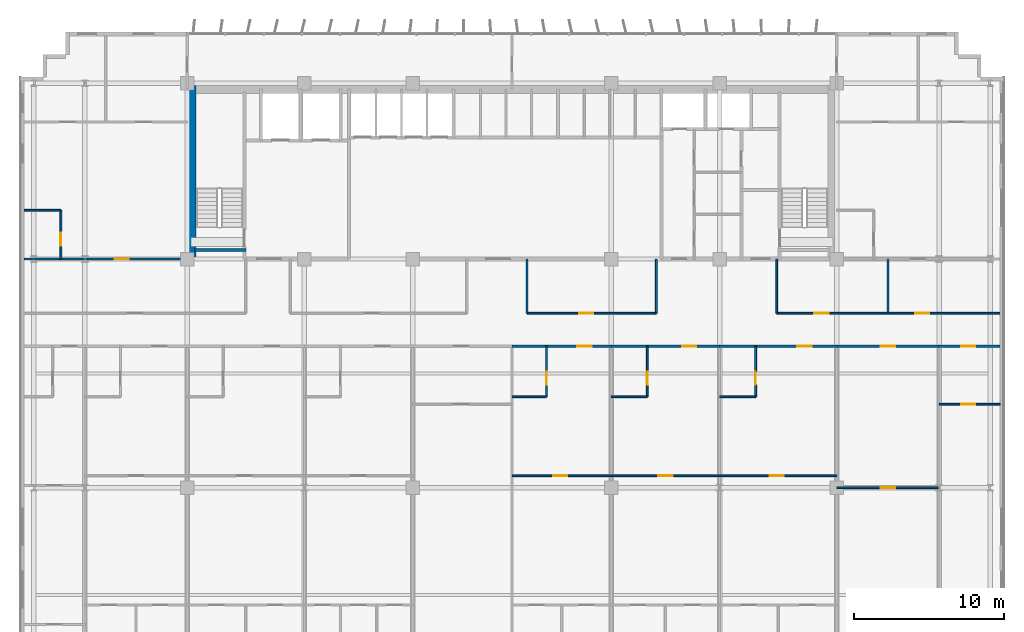
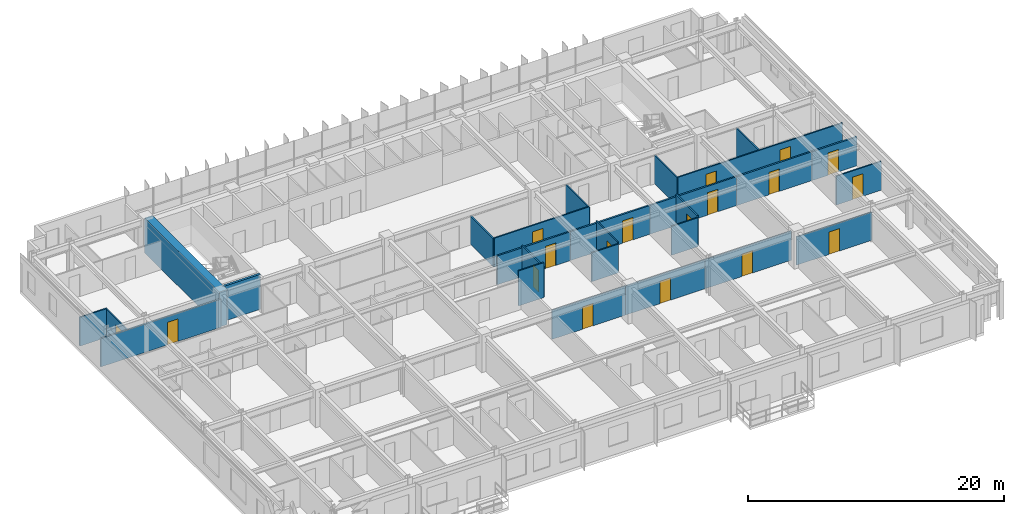
# One storey, part 18 of 24: 27 walls, 18 doors, 18 openings.
"""IFC4 building model written with IfcOpenShell, lengths in metres."""

from ifc_helpers import new_model, si_unit, direction, frame, frame_2d, origin, place, context, subcontext, project, spatial, rectangle, extrude, source, transform, mapped, material, layer, layer_set, type_object, element, fill, save


model = new_model("IFC4")

# Units and contexts
model_context = context("Model", 3, precision=1e-05, world=origin(), true_north=direction((0.0, 1.0)))
body_context = subcontext(model_context, "Body", "Model", "MODEL_VIEW")
ifc_project = project(units=[si_unit("LENGTHUNIT", "METRE"), si_unit("AREAUNIT", "SQUARE_METRE"), si_unit("VOLUMEUNIT", "CUBIC_METRE"), si_unit("PLANEANGLEUNIT", "RADIAN"), si_unit("MASSUNIT", "GRAM", prefix="KILO")], contexts=[model_context])

# Site, building, storey
site_placement = place(None, origin())
site = spatial("IfcSite", under=ifc_project, at=site_placement, CompositionType="ELEMENT")
building_placement = place(site_placement, origin())
building = spatial("IfcBuilding", under=site, at=building_placement, Name="Trelvane Seafront Commons", CompositionType="ELEMENT")
storey_placement = place(building_placement, frame((0.0, 0.0, 30.699951171875)))
storey = spatial("IfcBuildingStorey", under=building, at=storey_placement, Name="L07", CompositionType="ELEMENT", Elevation=30.699951171875)

# Wall, opening, door
ifc_material_1 = material(Name="Gypsum Drywall Acoustic Partition")
ifc_layer_1 = layer(ifc_material_1, 0.1201171875, Name="ARCH-WALL-PART120")
ifc_layer_set_1 = layer_set([ifc_layer_1], Name="Gypsum Drywall Acoustic Partition")
wall_type_1 = type_object("IfcWallType", Name="ARCH-WALL-PART120", PredefinedType="PARTITIONING", material=ifc_layer_set_1)
wall_1_placement = place(storey_placement, frame((38.199951171875, 29.800048828125, 0.0), z_axis=(0.0, 0.0, 1.0), x_axis=(1.0, 0.0, 0.0)))
wall_1 = element("IfcWall", 1, at=wall_1_placement, inside=storey, type_object=wall_type_1, Name="W-L07-CORR-N-M2-041", PredefinedType="PARTITIONING", context=body_context, shape_type="SweptSolid", body=[
    extrude(rectangle(XDim=8.60009765625, YDim=0.1201171875, at=frame_2d((4.300048828125, 0.0))), origin(), (0.0, 0.0, 1.0), 2.751953125),
])
opening_1_placement = place(wall_1_placement, frame((3.4619140625, 0.0, 0.0)))
opening_1 = element("IfcOpeningElement", 2, at=opening_1_placement, cuts=wall_1, Name="Opening D-L07-21", PredefinedType="OPENING", context=body_context, shape_type="SweptSolid", body=[
    extrude(rectangle(XDim=0.949951171875, YDim=2.14990234375, at=frame_2d((0.47509765625, 1.074951171875))), frame((0.0, 0.070068359375, 0.0), z_axis=(0.0, -1.0, 0.0), x_axis=(1.0, 0.0, 0.0)), (0.0, 0.0, 1.0), 0.14013671875),
])
ifc_material_2 = material(Name="Acoustic timber door leaf", Category="wood")
door_type_1 = type_object("IfcDoorType", Name="ARCH-DR-INT950", OperationType="NOTDEFINED", PredefinedType="DOOR", material=ifc_material_2)
shared_shape_1 = source(origin(), body_context, "Body", "SweptSolid", [
    extrude(rectangle(XDim=0.949951171875, YDim=2.14990234375, at=frame_2d((0.47509765625, 1.074951171875))), frame((0.0, 0.02490234375, 0.0), z_axis=(0.0, -1.0, 0.0), x_axis=(1.0, 0.0, 0.0)), (0.0, 0.0, 1.0), 0.050048828125),
])
door_1_placement = place(opening_1_placement, origin())
door_1 = element("IfcDoor", 3, at=door_1_placement, inside=storey, type_object=door_type_1, Name="L07 Door 21", OperationType="SINGLE_SWING_LEFT", OverallHeight=2.14990234375, OverallWidth=0.949951171875, PredefinedType="DOOR", context=body_context, shape_type="MappedRepresentation", body=[
    mapped(shared_shape_1, transform((0.0, 0.0, 0.0), x_axis=(1.0, 0.0, 0.0), y_axis=(0.0, 1.0, 0.0), z_axis=(0.0, 0.0, 1.0), scale=1.0)),
])
fill(opening_1, door_1)

# Wall, openings, doors
wall_2_placement = place(storey_placement, frame((54.800048828125, 29.800048828125, 0.0), z_axis=(0.0, 0.0, 1.0), x_axis=(1.0, 0.0, 0.0)))
wall_2 = element("IfcWall", 4, at=wall_2_placement, inside=storey, type_object=wall_type_1, Name="W-L07-CORR-N-E-042", PredefinedType="PARTITIONING", context=body_context, shape_type="SweptSolid", body=[
    extrude(rectangle(XDim=14.849853515625, YDim=0.1201171875, at=frame_2d((7.4248046875, 0.0))), origin(), (0.0, 0.0, 1.0), 2.751953125),
])
opening_2_placement = place(wall_2_placement, frame((2.5, 0.0, 0.0)))
opening_2 = element("IfcOpeningElement", 5, at=opening_2_placement, cuts=wall_2, Name="Opening D-L07-22", PredefinedType="OPENING", context=body_context, shape_type="SweptSolid", body=[
    extrude(rectangle(XDim=0.949951171875, YDim=2.14990234375, at=frame_2d((0.47509765625, 1.074951171875))), frame((0.0, 0.070068359375, 0.0), z_axis=(0.0, -1.0, 0.0), x_axis=(1.0, 0.0, 0.0)), (0.0, 0.0, 1.0), 0.14013671875),
])
opening_3_placement = place(wall_2_placement, frame((9.199951171875, 0.0, 0.0)))
opening_3 = element("IfcOpeningElement", 6, at=opening_3_placement, cuts=wall_2, Name="Opening D-L07-23", PredefinedType="OPENING", context=body_context, shape_type="SweptSolid", body=[
    extrude(rectangle(XDim=0.949951171875, YDim=2.14990234375, at=frame_2d((0.47509765625, 1.074951171875))), frame((0.0, 0.070068359375, 0.0), z_axis=(0.0, -1.0, 0.0), x_axis=(1.0, 0.0, 0.0)), (0.0, 0.0, 1.0), 0.14013671875),
])
door_2_placement = place(opening_2_placement, origin())
door_2 = element("IfcDoor", 7, at=door_2_placement, inside=storey, type_object=door_type_1, Name="L07 Door 22", OperationType="SINGLE_SWING_RIGHT", OverallHeight=2.14990234375, OverallWidth=0.949951171875, PredefinedType="DOOR", context=body_context, shape_type="MappedRepresentation", body=[
    mapped(shared_shape_1, transform((0.0, 0.0, 0.0), x_axis=(1.0, 0.0, 0.0), y_axis=(0.0, 1.0, 0.0), z_axis=(0.0, 0.0, 1.0), scale=1.0)),
])
fill(opening_2, door_2)
door_3_placement = place(opening_3_placement, origin())
door_3 = element("IfcDoor", 8, at=door_3_placement, inside=storey, type_object=door_type_1, Name="L07 Door 23", OperationType="SINGLE_SWING_LEFT", OverallHeight=2.14990234375, OverallWidth=0.949951171875, PredefinedType="DOOR", context=body_context, shape_type="MappedRepresentation", body=[
    mapped(shared_shape_1, transform((0.0, 0.0, 0.0), x_axis=(1.0, 0.0, 0.0), y_axis=(0.0, 1.0, 0.0), z_axis=(0.0, 0.0, 1.0), scale=1.0)),
])
fill(opening_3, door_3)

# Walls
for number, where, z_axis, x_axis, name in (
    (9, (62.199951171875, 29.800048828125, 0.0), (0.0, 0.0, 1.0), (0.0, 1.0, 0.0), "W-L07-N-LAUN-DV-043"),
    (10, (38.199951171875, 29.800048828125, 0.0), (0.0, 0.0, 1.0), (0.0, 1.0, 0.0), "W-L07-N-SPUR-M2-047"),
    (11, (46.800048828125, 29.800048828125, 0.0), (0.0, 0.0, 1.0), (0.0, 1.0, 0.0), "W-L07-N-SPUR-E1-048"),
    (12, (54.800048828125, 29.800048828125, 0.0), (0.0, 0.0, 1.0), (0.0, 1.0, 0.0), "W-L07-N-SPUR-E2-049"),
):
    element("IfcWall", number, at=place(storey_placement, frame(where, z_axis=z_axis, x_axis=x_axis)), inside=storey, type_object=wall_type_1, Name=name, PredefinedType="PARTITIONING", context=body_context, shape_type="SweptSolid", body=[
        extrude(rectangle(XDim=3.599853515625, YDim=0.1201171875, at=frame_2d((1.7998046875, 0.0))), origin(), (0.0, 0.0, 1.0), 2.68994140625),
    ])

# Wall, opening, door
wall_3_placement = place(storey_placement, frame((7.199951171875, 33.39990234375, 0.0), z_axis=(0.0, 0.0, 1.0), x_axis=(0.0, 1.0, 0.0)))
wall_3 = element("IfcWall", 13, at=wall_3_placement, inside=storey, type_object=wall_type_1, Name="W-L07-NW-BE-050", PredefinedType="PARTITIONING", context=body_context, shape_type="SweptSolid", body=[
    extrude(rectangle(XDim=3.25, YDim=0.1201171875, at=frame_2d((1.625, 0.0))), origin(), (0.0, 0.0, 1.0), 2.68994140625),
])
opening_4_placement = place(wall_3_placement, frame((0.89990234375, 0.0, 0.0)))
opening_4 = element("IfcOpeningElement", 14, at=opening_4_placement, cuts=wall_3, Name="Opening D-L07-24", PredefinedType="OPENING", context=body_context, shape_type="SweptSolid", body=[
    extrude(rectangle(XDim=0.85009765625, YDim=2.10009765625, at=frame_2d((0.425048828125, 1.050048828125))), frame((0.0, 0.070068359375, 0.0), z_axis=(0.0, -1.0, 0.0), x_axis=(1.0, 0.0, 0.0)), (0.0, 0.0, 1.0), 0.14013671875),
])
door_type_2 = type_object("IfcDoorType", Name="ARCH-DR-INT850", OperationType="NOTDEFINED", PredefinedType="DOOR", material=ifc_material_2)
shared_shape_2 = source(origin(), body_context, "Body", "SweptSolid", [
    extrude(rectangle(XDim=0.85009765625, YDim=2.10009765625, at=frame_2d((0.425048828125, 1.050048828125))), frame((0.0, 0.02490234375, 0.0), z_axis=(0.0, -1.0, 0.0), x_axis=(1.0, 0.0, 0.0)), (0.0, 0.0, 1.0), 0.050048828125),
])
door_4_placement = place(opening_4_placement, origin())
door_4 = element("IfcDoor", 15, at=door_4_placement, inside=storey, type_object=door_type_2, Name="L07 Door 24", OperationType="SINGLE_SWING_RIGHT", OverallHeight=2.10009765625, OverallWidth=0.85009765625, PredefinedType="DOOR", context=body_context, shape_type="MappedRepresentation", body=[
    mapped(shared_shape_2, transform((0.0, 0.0, 0.0), x_axis=(1.0, 0.0, 0.0), y_axis=(0.0, 1.0, 0.0), z_axis=(0.0, 0.0, 1.0), scale=1.0)),
])
fill(opening_4, door_4)

# Wall
wall_4_placement = place(storey_placement, frame((4.75, 36.64990234375, 0.0), z_axis=(0.0, 0.0, 1.0), x_axis=(1.0, 0.0, 0.0)))
element("IfcWall", 16, at=wall_4_placement, inside=storey, type_object=wall_type_1, Name="W-L07-NW-BN-051", PredefinedType="PARTITIONING", context=body_context, shape_type="SweptSolid", body=[
    extrude(rectangle(XDim=2.449951171875, YDim=0.1201171875, at=frame_2d((1.22509765625, 0.0))), origin(), (0.0, 0.0, 1.0), 2.751953125),
])

# Wall, opening, door
wall_5_placement = place(storey_placement, frame((37.199951171875, 19.0, 0.0), z_axis=(0.0, 0.0, 1.0), x_axis=(1.0, 0.0, 0.0)))
wall_5 = element("IfcWall", 17, at=wall_5_placement, inside=storey, type_object=wall_type_1, Name="W-L07-U6-KL-104", PredefinedType="PARTITIONING", context=body_context, shape_type="SweptSolid", body=[
    extrude(rectangle(XDim=6.60009765625, YDim=0.1201171875, at=frame_2d((3.300048828125, 0.0))), origin(), (0.0, 0.0, 1.0), 2.751953125),
])
opening_5_placement = place(wall_5_placement, frame((2.73388671875, 0.0, 0.0)))
opening_5 = element("IfcOpeningElement", 18, at=opening_5_placement, cuts=wall_5, Name="Opening D-L07-57", PredefinedType="OPENING", context=body_context, shape_type="SweptSolid", body=[
    extrude(rectangle(XDim=0.949951171875, YDim=2.14990234375, at=frame_2d((0.47509765625, 1.074951171875))), frame((0.0, 0.070068359375, 0.0), z_axis=(0.0, -1.0, 0.0), x_axis=(1.0, 0.0, 0.0)), (0.0, 0.0, 1.0), 0.14013671875),
])
door_5_placement = place(opening_5_placement, origin())
door_5 = element("IfcDoor", 19, at=door_5_placement, inside=storey, type_object=door_type_1, Name="L07 Door 57", OperationType="SINGLE_SWING_LEFT", OverallHeight=2.14990234375, OverallWidth=0.949951171875, PredefinedType="DOOR", context=body_context, shape_type="MappedRepresentation", body=[
    mapped(shared_shape_1, transform((0.0, 0.0, 0.0), x_axis=(1.0, 0.0, 0.0), y_axis=(0.0, 1.0, 0.0), z_axis=(0.0, 0.0, 1.0), scale=1.0)),
])
fill(opening_5, door_5)

wall_6_placement = place(storey_placement, frame((39.493896484375, 24.25, 0.0), z_axis=(0.0, 0.0, 1.0), x_axis=(0.0, 1.0, 0.0)))
wall_6 = element("IfcWall", 20, at=wall_6_placement, inside=storey, type_object=wall_type_1, Name="W-L07-U6-BE-105", PredefinedType="PARTITIONING", context=body_context, shape_type="SweptSolid", body=[
    extrude(rectangle(XDim=3.35009765625, YDim=0.1201171875, at=frame_2d((1.675048828125, 0.0))), origin(), (0.0, 0.0, 1.0), 2.93994140625),
])
opening_6_placement = place(wall_6_placement, frame((0.800048828125, 0.0, 0.0)))
opening_6 = element("IfcOpeningElement", 21, at=opening_6_placement, cuts=wall_6, Name="Opening D-L07-58", PredefinedType="OPENING", context=body_context, shape_type="SweptSolid", body=[
    extrude(rectangle(XDim=0.85009765625, YDim=2.10009765625, at=frame_2d((0.425048828125, 1.050048828125))), frame((0.0, 0.070068359375, 0.0), z_axis=(0.0, -1.0, 0.0), x_axis=(1.0, 0.0, 0.0)), (0.0, 0.0, 1.0), 0.14013671875),
])
door_6_placement = place(opening_6_placement, origin())
door_6 = element("IfcDoor", 22, at=door_6_placement, inside=storey, type_object=door_type_2, Name="L07 Door 58", OperationType="SINGLE_SWING_RIGHT", OverallHeight=2.10009765625, OverallWidth=0.85009765625, PredefinedType="DOOR", context=body_context, shape_type="MappedRepresentation", body=[
    mapped(shared_shape_2, transform((0.0, 0.0, 0.0), x_axis=(1.0, 0.0, 0.0), y_axis=(0.0, 1.0, 0.0), z_axis=(0.0, 0.0, 1.0), scale=1.0)),
])
fill(opening_6, door_6)

# Wall
wall_7_placement = place(storey_placement, frame((37.199951171875, 24.25, 0.0), z_axis=(0.0, 0.0, 1.0), x_axis=(1.0, 0.0, 0.0)))
element("IfcWall", 23, at=wall_7_placement, inside=storey, type_object=wall_type_1, Name="W-L07-U6-BS-106", PredefinedType="PARTITIONING", context=body_context, shape_type="SweptSolid", body=[
    extrude(rectangle(XDim=2.2939453125, YDim=0.1201171875, at=frame_2d((1.14697265625, 0.0))), origin(), (0.0, 0.0, 1.0), 3.340087890625),
])

# Wall, opening, door
wall_8_placement = place(storey_placement, frame((43.800048828125, 19.0, 0.0), z_axis=(0.0, 0.0, 1.0), x_axis=(1.0, 0.0, 0.0)))
wall_8 = element("IfcWall", 24, at=wall_8_placement, inside=storey, type_object=wall_type_1, Name="W-L07-U7-KL-111", PredefinedType="PARTITIONING", context=body_context, shape_type="SweptSolid", body=[
    extrude(rectangle(XDim=7.199951171875, YDim=0.1201171875, at=frame_2d((3.60009765625, 0.0))), origin(), (0.0, 0.0, 1.0), 2.751953125),
])
opening_7_placement = place(wall_8_placement, frame((3.125, 0.0, 0.0)))
opening_7 = element("IfcOpeningElement", 25, at=opening_7_placement, cuts=wall_8, Name="Opening D-L07-62", PredefinedType="OPENING", context=body_context, shape_type="SweptSolid", body=[
    extrude(rectangle(XDim=0.949951171875, YDim=2.14990234375, at=frame_2d((0.47509765625, 1.074951171875))), frame((0.0, 0.070068359375, 0.0), z_axis=(0.0, -1.0, 0.0), x_axis=(1.0, 0.0, 0.0)), (0.0, 0.0, 1.0), 0.14013671875),
])
door_7_placement = place(opening_7_placement, origin())
door_7 = element("IfcDoor", 26, at=door_7_placement, inside=storey, type_object=door_type_1, Name="L07 Door 62", OperationType="SINGLE_SWING_RIGHT", OverallHeight=2.14990234375, OverallWidth=0.949951171875, PredefinedType="DOOR", context=body_context, shape_type="MappedRepresentation", body=[
    mapped(shared_shape_1, transform((0.0, 0.0, 0.0), x_axis=(1.0, 0.0, 0.0), y_axis=(0.0, 1.0, 0.0), z_axis=(0.0, 0.0, 1.0), scale=1.0)),
])
fill(opening_7, door_7)

wall_9_placement = place(storey_placement, frame((46.199951171875, 24.25, 0.0), z_axis=(0.0, 0.0, 1.0), x_axis=(0.0, 1.0, 0.0)))
wall_9 = element("IfcWall", 27, at=wall_9_placement, inside=storey, type_object=wall_type_1, Name="W-L07-U7-BE-112", PredefinedType="PARTITIONING", context=body_context, shape_type="SweptSolid", body=[
    extrude(rectangle(XDim=3.35009765625, YDim=0.1201171875, at=frame_2d((1.675048828125, 0.0))), origin(), (0.0, 0.0, 1.0), 2.93994140625),
])
opening_8_placement = place(wall_9_placement, frame((0.800048828125, 0.0, 0.0)))
opening_8 = element("IfcOpeningElement", 28, at=opening_8_placement, cuts=wall_9, Name="Opening D-L07-63", PredefinedType="OPENING", context=body_context, shape_type="SweptSolid", body=[
    extrude(rectangle(XDim=0.85009765625, YDim=2.10009765625, at=frame_2d((0.425048828125, 1.050048828125))), frame((0.0, 0.070068359375, 0.0), z_axis=(0.0, -1.0, 0.0), x_axis=(1.0, 0.0, 0.0)), (0.0, 0.0, 1.0), 0.14013671875),
])
door_8_placement = place(opening_8_placement, origin())
door_8 = element("IfcDoor", 29, at=door_8_placement, inside=storey, type_object=door_type_2, Name="L07 Door 63", OperationType="SINGLE_SWING_LEFT", OverallHeight=2.10009765625, OverallWidth=0.85009765625, PredefinedType="DOOR", context=body_context, shape_type="MappedRepresentation", body=[
    mapped(shared_shape_2, transform((0.0, 0.0, 0.0), x_axis=(1.0, 0.0, 0.0), y_axis=(0.0, 1.0, 0.0), z_axis=(0.0, 0.0, 1.0), scale=1.0)),
])
fill(opening_8, door_8)

# Wall
wall_10_placement = place(storey_placement, frame((43.800048828125, 24.25, 0.0), z_axis=(0.0, 0.0, 1.0), x_axis=(1.0, 0.0, 0.0)))
element("IfcWall", 30, at=wall_10_placement, inside=storey, type_object=wall_type_1, Name="W-L07-U7-BS-113", PredefinedType="PARTITIONING", context=body_context, shape_type="SweptSolid", body=[
    extrude(rectangle(XDim=2.39990234375, YDim=0.1201171875, at=frame_2d((1.199951171875, 0.0))), origin(), (0.0, 0.0, 1.0), 2.751953125),
])

# Wall, opening, door
wall_11_placement = place(storey_placement, frame((51.0, 19.0, 0.0), z_axis=(0.0, 0.0, 1.0), x_axis=(1.0, 0.0, 0.0)))
wall_11 = element("IfcWall", 31, at=wall_11_placement, inside=storey, type_object=wall_type_1, Name="W-L07-U8-KL-118", PredefinedType="PARTITIONING", context=body_context, shape_type="SweptSolid", body=[
    extrude(rectangle(XDim=7.800048828125, YDim=0.1201171875, at=frame_2d((3.89990234375, 0.0))), origin(), (0.0, 0.0, 1.0), 2.751953125),
])
opening_9_placement = place(wall_11_placement, frame((3.3330078125, 0.0, 0.0)))
opening_9 = element("IfcOpeningElement", 32, at=opening_9_placement, cuts=wall_11, Name="Opening D-L07-67", PredefinedType="OPENING", context=body_context, shape_type="SweptSolid", body=[
    extrude(rectangle(XDim=0.949951171875, YDim=2.14990234375, at=frame_2d((0.47509765625, 1.074951171875))), frame((0.0, 0.070068359375, 0.0), z_axis=(0.0, -1.0, 0.0), x_axis=(1.0, 0.0, 0.0)), (0.0, 0.0, 1.0), 0.14013671875),
])
door_9_placement = place(opening_9_placement, origin())
door_9 = element("IfcDoor", 33, at=door_9_placement, inside=storey, type_object=door_type_1, Name="L07 Door 67", OperationType="SINGLE_SWING_LEFT", OverallHeight=2.14990234375, OverallWidth=0.949951171875, PredefinedType="DOOR", context=body_context, shape_type="MappedRepresentation", body=[
    mapped(shared_shape_1, transform((0.0, 0.0, 0.0), x_axis=(1.0, 0.0, 0.0), y_axis=(0.0, 1.0, 0.0), z_axis=(0.0, 0.0, 1.0), scale=1.0)),
])
fill(opening_9, door_9)

wall_12_placement = place(storey_placement, frame((53.39990234375, 24.25, 0.0), z_axis=(0.0, 0.0, 1.0), x_axis=(0.0, 1.0, 0.0)))
wall_12 = element("IfcWall", 34, at=wall_12_placement, inside=storey, type_object=wall_type_1, Name="W-L07-U8-BE-119", PredefinedType="PARTITIONING", context=body_context, shape_type="SweptSolid", body=[
    extrude(rectangle(XDim=3.35009765625, YDim=0.1201171875, at=frame_2d((1.675048828125, 0.0))), origin(), (0.0, 0.0, 1.0), 2.93994140625),
])
opening_10_placement = place(wall_12_placement, frame((0.800048828125, 0.0, 0.0)))
opening_10 = element("IfcOpeningElement", 35, at=opening_10_placement, cuts=wall_12, Name="Opening D-L07-68", PredefinedType="OPENING", context=body_context, shape_type="SweptSolid", body=[
    extrude(rectangle(XDim=0.85009765625, YDim=2.10009765625, at=frame_2d((0.425048828125, 1.050048828125))), frame((0.0, 0.070068359375, 0.0), z_axis=(0.0, -1.0, 0.0), x_axis=(1.0, 0.0, 0.0)), (0.0, 0.0, 1.0), 0.14013671875),
])
door_10_placement = place(opening_10_placement, origin())
door_10 = element("IfcDoor", 36, at=door_10_placement, inside=storey, type_object=door_type_2, Name="L07 Door 68", OperationType="SINGLE_SWING_RIGHT", OverallHeight=2.10009765625, OverallWidth=0.85009765625, PredefinedType="DOOR", context=body_context, shape_type="MappedRepresentation", body=[
    mapped(shared_shape_2, transform((0.0, 0.0, 0.0), x_axis=(1.0, 0.0, 0.0), y_axis=(0.0, 1.0, 0.0), z_axis=(0.0, 0.0, 1.0), scale=1.0)),
])
fill(opening_10, door_10)

# Wall
wall_13_placement = place(storey_placement, frame((51.0, 24.25, 0.0), z_axis=(0.0, 0.0, 1.0), x_axis=(1.0, 0.0, 0.0)))
element("IfcWall", 37, at=wall_13_placement, inside=storey, type_object=wall_type_1, Name="W-L07-U8-BS-120", PredefinedType="PARTITIONING", context=body_context, shape_type="SweptSolid", body=[
    extrude(rectangle(XDim=2.39990234375, YDim=0.1201171875, at=frame_2d((1.199951171875, 0.0))), origin(), (0.0, 0.0, 1.0), 2.751953125),
])

# Wall, opening, door
wall_14_placement = place(storey_placement, frame((58.800048828125, 18.199951171875, 0.0), z_axis=(0.0, 0.0, 1.0), x_axis=(1.0, 0.0, 0.0)))
wall_14 = element("IfcWall", 38, at=wall_14_placement, inside=storey, type_object=wall_type_1, Name="W-L07-U9-DIV-126", PredefinedType="PARTITIONING", context=body_context, shape_type="SweptSolid", body=[
    extrude(rectangle(XDim=6.800048828125, YDim=0.1201171875, at=frame_2d((3.39990234375, 0.0))), origin(), (0.0, 0.0, 1.0), 2.68994140625),
])
opening_11_placement = place(wall_14_placement, frame((2.925048828125, 0.0, 0.0)))
opening_11 = element("IfcOpeningElement", 39, at=opening_11_placement, cuts=wall_14, Name="Opening D-L07-73", PredefinedType="OPENING", context=body_context, shape_type="SweptSolid", body=[
    extrude(rectangle(XDim=0.949951171875, YDim=2.14990234375, at=frame_2d((0.47509765625, 1.074951171875))), frame((0.0, 0.070068359375, 0.0), z_axis=(0.0, -1.0, 0.0), x_axis=(1.0, 0.0, 0.0)), (0.0, 0.0, 1.0), 0.14013671875),
])
door_11_placement = place(opening_11_placement, origin())
door_11 = element("IfcDoor", 40, at=door_11_placement, inside=storey, type_object=door_type_1, Name="L07 Door 73", OperationType="SINGLE_SWING_LEFT", OverallHeight=2.14990234375, OverallWidth=0.949951171875, PredefinedType="DOOR", context=body_context, shape_type="MappedRepresentation", body=[
    mapped(shared_shape_1, transform((0.0, 0.0, 0.0), x_axis=(1.0, 0.0, 0.0), y_axis=(0.0, 1.0, 0.0), z_axis=(0.0, 0.0, 1.0), scale=1.0)),
])
fill(opening_11, door_11)

wall_15_placement = place(storey_placement, frame((65.60009765625, 23.75, 0.0), z_axis=(0.0, 0.0, 1.0), x_axis=(1.0, 0.0, 0.0)))
wall_15 = element("IfcWall", 41, at=wall_15_placement, inside=storey, type_object=wall_type_1, Name="W-L07-U10-DIV-128", PredefinedType="PARTITIONING", context=body_context, shape_type="SweptSolid", body=[
    extrude(rectangle(XDim=4.054931640625, YDim=0.1201171875, at=frame_2d((2.02734375, 0.0))), origin(), (0.0, 0.0, 1.0), 2.751953125),
])
opening_12_placement = place(wall_15_placement, frame((1.4619140625, 0.0, 0.0)))
opening_12 = element("IfcOpeningElement", 42, at=opening_12_placement, cuts=wall_15, Name="Opening D-L07-75", PredefinedType="OPENING", context=body_context, shape_type="SweptSolid", body=[
    extrude(rectangle(XDim=0.949951171875, YDim=2.14990234375, at=frame_2d((0.47509765625, 1.074951171875))), frame((0.0, 0.070068359375, 0.0), z_axis=(0.0, -1.0, 0.0), x_axis=(1.0, 0.0, 0.0)), (0.0, 0.0, 1.0), 0.14013671875),
])
door_12_placement = place(opening_12_placement, origin())
door_12 = element("IfcDoor", 43, at=door_12_placement, inside=storey, type_object=door_type_1, Name="L07 Door 75", OperationType="SINGLE_SWING_LEFT", OverallHeight=2.14990234375, OverallWidth=0.949951171875, PredefinedType="DOOR", context=body_context, shape_type="MappedRepresentation", body=[
    mapped(shared_shape_1, transform((0.0, 0.0, 0.0), x_axis=(1.0, 0.0, 0.0), y_axis=(0.0, 1.0, 0.0), z_axis=(0.0, 0.0, 1.0), scale=1.0)),
])
fill(opening_12, door_12)

ifc_layer_2 = layer(ifc_material_1, 0.14990234375, Name="ARCH-WALL-PART150")
ifc_layer_set_2 = layer_set([ifc_layer_2], Name="Gypsum Drywall Acoustic Partition")
wall_type_2 = type_object("IfcWallType", Name="ARCH-WALL-PART150", PredefinedType="PARTITIONING", material=ifc_layer_set_2)
wall_16_placement = place(storey_placement, frame((4.75, 33.39990234375, 0.0), z_axis=(0.0, 0.0, 1.0), x_axis=(1.0, 0.0, 0.0)))
wall_16 = element("IfcWall", 44, at=wall_16_placement, inside=storey, type_object=wall_type_2, Name="W-L07-NW-ENT-055", PredefinedType="PARTITIONING", context=body_context, shape_type="SweptSolid", body=[
    extrude(rectangle(XDim=10.85009765625, YDim=0.14990234375, at=frame_2d((5.425048828125, 0.0))), origin(), (0.0, 0.0, 1.0), 2.68994140625),
])
opening_13_placement = place(wall_16_placement, frame((6.02490234375, 0.0, 0.0)))
opening_13 = element("IfcOpeningElement", 45, at=opening_13_placement, cuts=wall_16, Name="Opening FD-L07-27", PredefinedType="OPENING", context=body_context, shape_type="SweptSolid", body=[
    extrude(rectangle(XDim=0.949951171875, YDim=2.14990234375, at=frame_2d((0.47509765625, 1.074951171875))), frame((0.0, 0.0849609375, 0.0), z_axis=(0.0, -1.0, 0.0), x_axis=(1.0, 0.0, 0.0)), (0.0, 0.0, 1.0), 0.169921875),
])
ifc_material_3 = material(Name="Powder-coated aluminium frame", Category="aluminium")
door_type_3 = type_object("IfcDoorType", Name="ARCH-DR-FD60-950", OperationType="NOTDEFINED", PredefinedType="DOOR", material=ifc_material_3)
door_13_placement = place(opening_13_placement, origin())
door_13 = element("IfcDoor", 46, at=door_13_placement, inside=storey, type_object=door_type_3, Name="L07 NW Flat Entrance Door", OperationType="SINGLE_SWING_LEFT", OverallHeight=2.14990234375, OverallWidth=0.949951171875, PredefinedType="DOOR", context=body_context, shape_type="MappedRepresentation", body=[
    mapped(shared_shape_1, transform((0.0, 0.0, 0.0), x_axis=(1.0, 0.0, 0.0), y_axis=(0.0, 1.0, 0.0), z_axis=(0.0, 0.0, 1.0), scale=1.0)),
])
fill(opening_13, door_13)

wall_17_placement = place(storey_placement, frame((37.199951171875, 27.60009765625, 0.0), z_axis=(0.0, 0.0, 1.0), x_axis=(1.0, 0.0, 0.0)))
wall_17 = element("IfcWall", 47, at=wall_17_placement, inside=storey, type_object=wall_type_2, Name="W-L07-CS-BAY-6-107", PredefinedType="PARTITIONING", context=body_context, shape_type="SweptSolid", body=[
    extrude(rectangle(XDim=6.60009765625, YDim=0.14990234375, at=frame_2d((3.300048828125, 0.0))), origin(), (0.0, 0.0, 1.0), 2.751953125),
])
opening_14_placement = place(wall_17_placement, frame((4.3369140625, 0.0, 0.0)))
opening_14 = element("IfcOpeningElement", 48, at=opening_14_placement, cuts=wall_17, Name="Opening FD-L07-59", PredefinedType="OPENING", context=body_context, shape_type="SweptSolid", body=[
    extrude(rectangle(XDim=0.949951171875, YDim=2.14990234375, at=frame_2d((0.47509765625, 1.074951171875))), frame((0.0, 0.0849609375, 0.0), z_axis=(0.0, -1.0, 0.0), x_axis=(1.0, 0.0, 0.0)), (0.0, 0.0, 1.0), 0.169921875),
])
door_14_placement = place(opening_14_placement, origin())
door_14 = element("IfcDoor", 49, at=door_14_placement, inside=storey, type_object=door_type_3, Name="L07 Unit 06 Entrance Door", OperationType="SINGLE_SWING_LEFT", OverallHeight=2.14990234375, OverallWidth=0.949951171875, PredefinedType="DOOR", context=body_context, shape_type="MappedRepresentation", body=[
    mapped(shared_shape_1, transform((0.0, 0.0, 0.0), x_axis=(1.0, 0.0, 0.0), y_axis=(0.0, 1.0, 0.0), z_axis=(0.0, 0.0, 1.0), scale=1.0)),
])
fill(opening_14, door_14)

wall_18_placement = place(storey_placement, frame((43.800048828125, 27.60009765625, 0.0), z_axis=(0.0, 0.0, 1.0), x_axis=(1.0, 0.0, 0.0)))
wall_18 = element("IfcWall", 50, at=wall_18_placement, inside=storey, type_object=wall_type_2, Name="W-L07-CS-BAY-7-114", PredefinedType="PARTITIONING", context=body_context, shape_type="SweptSolid", body=[
    extrude(rectangle(XDim=7.199951171875, YDim=0.14990234375, at=frame_2d((3.60009765625, 0.0))), origin(), (0.0, 0.0, 1.0), 2.751953125),
])
opening_15_placement = place(wall_18_placement, frame((4.7060546875, 0.0, 0.0)))
opening_15 = element("IfcOpeningElement", 51, at=opening_15_placement, cuts=wall_18, Name="Opening FD-L07-64", PredefinedType="OPENING", context=body_context, shape_type="SweptSolid", body=[
    extrude(rectangle(XDim=0.949951171875, YDim=2.14990234375, at=frame_2d((0.47509765625, 1.074951171875))), frame((0.0, 0.0849609375, 0.0), z_axis=(0.0, -1.0, 0.0), x_axis=(1.0, 0.0, 0.0)), (0.0, 0.0, 1.0), 0.169921875),
])
door_15_placement = place(opening_15_placement, origin())
door_15 = element("IfcDoor", 52, at=door_15_placement, inside=storey, type_object=door_type_3, Name="L07 Unit 07 Entrance Door", OperationType="SINGLE_SWING_RIGHT", OverallHeight=2.14990234375, OverallWidth=0.949951171875, PredefinedType="DOOR", context=body_context, shape_type="MappedRepresentation", body=[
    mapped(shared_shape_1, transform((0.0, 0.0, 0.0), x_axis=(1.0, 0.0, 0.0), y_axis=(0.0, 1.0, 0.0), z_axis=(0.0, 0.0, 1.0), scale=1.0)),
])
fill(opening_15, door_15)

wall_19_placement = place(storey_placement, frame((51.0, 27.60009765625, 0.0), z_axis=(0.0, 0.0, 1.0), x_axis=(1.0, 0.0, 0.0)))
wall_19 = element("IfcWall", 53, at=wall_19_placement, inside=storey, type_object=wall_type_2, Name="W-L07-CS-BAY-8-121", PredefinedType="PARTITIONING", context=body_context, shape_type="SweptSolid", body=[
    extrude(rectangle(XDim=7.800048828125, YDim=0.14990234375, at=frame_2d((3.89990234375, 0.0))), origin(), (0.0, 0.0, 1.0), 2.751953125),
])
opening_16_placement = place(wall_19_placement, frame((5.172119140625, 0.0, 0.0)))
opening_16 = element("IfcOpeningElement", 54, at=opening_16_placement, cuts=wall_19, Name="Opening FD-L07-69", PredefinedType="OPENING", context=body_context, shape_type="SweptSolid", body=[
    extrude(rectangle(XDim=0.949951171875, YDim=2.14990234375, at=frame_2d((0.47509765625, 1.074951171875))), frame((0.0, 0.0849609375, 0.0), z_axis=(0.0, -1.0, 0.0), x_axis=(1.0, 0.0, 0.0)), (0.0, 0.0, 1.0), 0.169921875),
])
door_16_placement = place(opening_16_placement, origin())
door_16 = element("IfcDoor", 55, at=door_16_placement, inside=storey, type_object=door_type_3, Name="L07 Unit 08 Entrance Door", OperationType="SINGLE_SWING_LEFT", OverallHeight=2.14990234375, OverallWidth=0.949951171875, PredefinedType="DOOR", context=body_context, shape_type="MappedRepresentation", body=[
    mapped(shared_shape_1, transform((0.0, 0.0, 0.0), x_axis=(1.0, 0.0, 0.0), y_axis=(0.0, 1.0, 0.0), z_axis=(0.0, 0.0, 1.0), scale=1.0)),
])
fill(opening_16, door_16)

wall_20_placement = place(storey_placement, frame((58.800048828125, 27.60009765625, 0.0), z_axis=(0.0, 0.0, 1.0), x_axis=(1.0, 0.0, 0.0)))
wall_20 = element("IfcWall", 56, at=wall_20_placement, inside=storey, type_object=wall_type_2, Name="W-L07-CS-BAY-9-125", PredefinedType="PARTITIONING", context=body_context, shape_type="SweptSolid", body=[
    extrude(rectangle(XDim=6.800048828125, YDim=0.14990234375, at=frame_2d((3.39990234375, 0.0))), origin(), (0.0, 0.0, 1.0), 2.751953125),
])
opening_17_placement = place(wall_20_placement, frame((2.925048828125, 0.0, 0.0)))
opening_17 = element("IfcOpeningElement", 57, at=opening_17_placement, cuts=wall_20, Name="Opening FD-L07-72", PredefinedType="OPENING", context=body_context, shape_type="SweptSolid", body=[
    extrude(rectangle(XDim=0.949951171875, YDim=2.14990234375, at=frame_2d((0.47509765625, 1.074951171875))), frame((0.0, 0.0849609375, 0.0), z_axis=(0.0, -1.0, 0.0), x_axis=(1.0, 0.0, 0.0)), (0.0, 0.0, 1.0), 0.169921875),
])
door_17_placement = place(opening_17_placement, origin())
door_17 = element("IfcDoor", 58, at=door_17_placement, inside=storey, type_object=door_type_3, Name="L07 Bay 09 Entrance Door", OperationType="SINGLE_SWING_RIGHT", OverallHeight=2.14990234375, OverallWidth=0.949951171875, PredefinedType="DOOR", context=body_context, shape_type="MappedRepresentation", body=[
    mapped(shared_shape_1, transform((0.0, 0.0, 0.0), x_axis=(1.0, 0.0, 0.0), y_axis=(0.0, 1.0, 0.0), z_axis=(0.0, 0.0, 1.0), scale=1.0)),
])
fill(opening_17, door_17)

wall_21_placement = place(storey_placement, frame((65.60009765625, 27.60009765625, 0.0), z_axis=(0.0, 0.0, 1.0), x_axis=(1.0, 0.0, 0.0)))
wall_21 = element("IfcWall", 59, at=wall_21_placement, inside=storey, type_object=wall_type_2, Name="W-L07-CS-BAY-10-127", PredefinedType="PARTITIONING", context=body_context, shape_type="SweptSolid", body=[
    extrude(rectangle(XDim=4.054931640625, YDim=0.14990234375, at=frame_2d((2.02734375, 0.0))), origin(), (0.0, 0.0, 1.0), 2.751953125),
])
opening_18_placement = place(wall_21_placement, frame((1.4619140625, 0.0, 0.0)))
opening_18 = element("IfcOpeningElement", 60, at=opening_18_placement, cuts=wall_21, Name="Opening FD-L07-74", PredefinedType="OPENING", context=body_context, shape_type="SweptSolid", body=[
    extrude(rectangle(XDim=0.949951171875, YDim=2.14990234375, at=frame_2d((0.47509765625, 1.074951171875))), frame((0.0, 0.0849609375, 0.0), z_axis=(0.0, -1.0, 0.0), x_axis=(1.0, 0.0, 0.0)), (0.0, 0.0, 1.0), 0.169921875),
])
door_18_placement = place(opening_18_placement, origin())
door_18 = element("IfcDoor", 61, at=door_18_placement, inside=storey, type_object=door_type_3, Name="L07 Bay 10 Entrance Door", OperationType="SINGLE_SWING_RIGHT", OverallHeight=2.14990234375, OverallWidth=0.949951171875, PredefinedType="DOOR", context=body_context, shape_type="MappedRepresentation", body=[
    mapped(shared_shape_1, transform((0.0, 0.0, 0.0), x_axis=(1.0, 0.0, 0.0), y_axis=(0.0, 1.0, 0.0), z_axis=(0.0, 0.0, 1.0), scale=1.0)),
])
fill(opening_18, door_18)

# Walls
ifc_material_4 = material(Name="Concrete C60/75", Category="concrete")
ifc_layer_3 = layer(ifc_material_4, 0.699951171875, Name="STR-WALL-CORE700")
ifc_layer_set_3 = layer_set([ifc_layer_3], Name="Concrete C60/75")
wall_type_3 = type_object("IfcWallType", Name="STR-WALL-CORE700", PredefinedType="SHEAR", material=ifc_layer_set_3)
wall_22_placement = place(storey_placement, frame((15.85009765625, 33.39990234375, 0.0), z_axis=(0.0, 0.0, 1.0), x_axis=(0.0, 1.0, 0.0)))
element("IfcWall", 62, at=wall_22_placement, inside=storey, type_object=wall_type_3, Name="W-L07-CW-END-002", PredefinedType="SHEAR", context=body_context, shape_type="SweptSolid", body=[
    extrude(rectangle(XDim=11.7001953125, YDim=0.699951171875, at=frame_2d((5.85009765625, 0.0))), origin(), (0.0, 0.0, 1.0), 3.340087890625),
])
ifc_material_5 = material(Name="Concrete C50/60", Category="concrete")
ifc_layer_4 = layer(ifc_material_5, 0.199951171875, Name="STR-WALL-STAIR200")
ifc_layer_set_4 = layer_set([ifc_layer_4], Name="Concrete C50/60")
wall_type_4 = type_object("IfcWallType", Name="STR-WALL-STAIR200", PredefinedType="SHEAR", material=ifc_layer_set_4)
wall_23_placement = place(storey_placement, frame((16.10009765625, 34.0, 0.0), z_axis=(0.0, 0.0, 1.0), x_axis=(1.0, 0.0, 0.0)))
element("IfcWall", 63, at=wall_23_placement, inside=storey, type_object=wall_type_4, Name="W-L07-ST1-S-004", PredefinedType="SHEAR", context=body_context, shape_type="SweptSolid", body=[
    extrude(rectangle(XDim=3.39990234375, YDim=0.199951171875, at=frame_2d((1.699951171875, 0.0))), origin(), (0.0, 0.0, 1.0), 3.340087890625),
])

save(model, "model.ifc")
